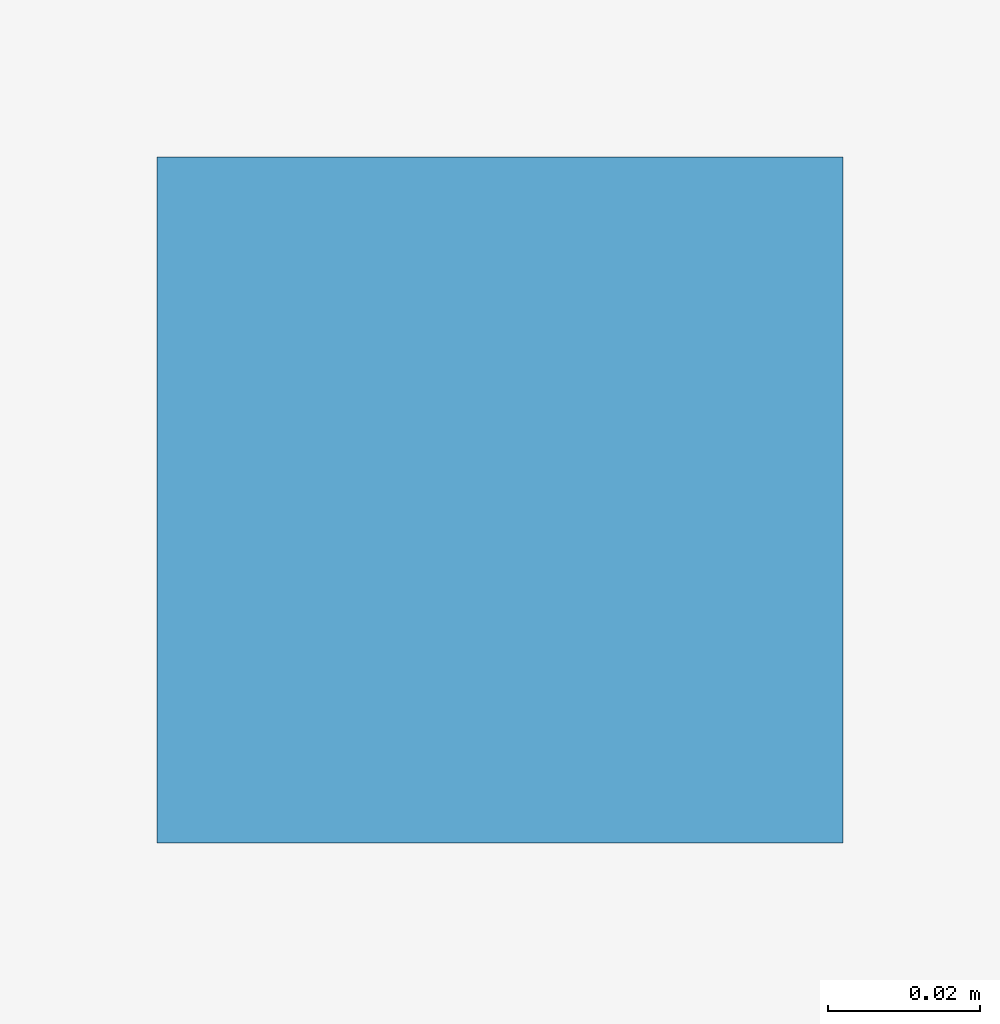
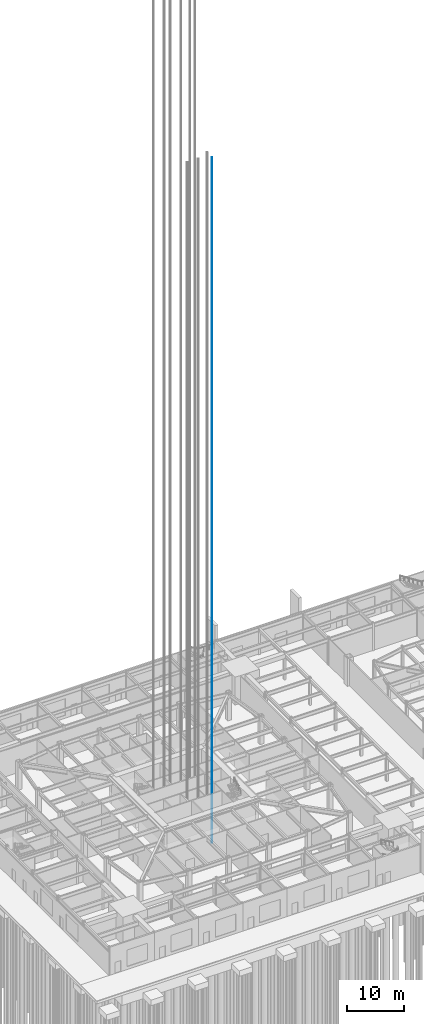
# One storey, part 25 of 37: 1 discrete accessory.
"""IFC4 building model written with IfcOpenShell, lengths in metres."""

from ifc_helpers import new_model, si_unit, direction, frame, origin, origin_2d, place, context, subcontext, project, spatial, rectangle, extrude, material, element, save


model = new_model("IFC4")

# Units and contexts
model_context = context("Model", 3, precision=1e-05, world=origin(), true_north=direction((0.0, 1.0)))
body_context = subcontext(model_context, "Body", "Model", "MODEL_VIEW")
ifc_project = project(units=[si_unit("LENGTHUNIT", "METRE"), si_unit("AREAUNIT", "SQUARE_METRE"), si_unit("VOLUMEUNIT", "CUBIC_METRE"), si_unit("PLANEANGLEUNIT", "RADIAN"), si_unit("MASSUNIT", "GRAM", prefix="KILO")], contexts=[model_context])

# Site, building, storey
site_placement = place(None, origin())
site = spatial("IfcSite", under=ifc_project, at=site_placement, CompositionType="ELEMENT")
building_placement = place(site_placement, origin())
building = spatial("IfcBuilding", under=site, at=building_placement, Name="Iwan Alto Co-Living Towers", CompositionType="ELEMENT")
storey_placement = place(building_placement, origin())
storey = spatial("IfcBuildingStorey", under=building, at=storey_placement, Name="L00", CompositionType="ELEMENT", Elevation=0.0)

# Discrete accessory
ifc_material = material(Name="Steel ASTM A36", Category="steel")
placement = place(storey_placement, frame((3.4375, -3.0, 0.0), z_axis=(0.0, 0.0, 1.0), x_axis=(1.0, 0.0, 0.0)))
discrete_accessory_placement = place(placement, origin())
element("IfcDiscreteAccessory", 1, at=discrete_accessory_placement, inside=storey, material=ifc_material, Name="Lift P2-4 guide rail 1", ObjectType="Lift guide rail", PredefinedType="USERDEFINED", context=body_context, shape_type="SweptSolid", body=[
    extrude(rectangle(XDim=0.09, YDim=0.09, at=origin_2d()), frame((0.0, -0.85009765625, -5.0)), (0.0, 0.0, 1.0), 147.39990234375),
])

save(model, "model.ifc")
